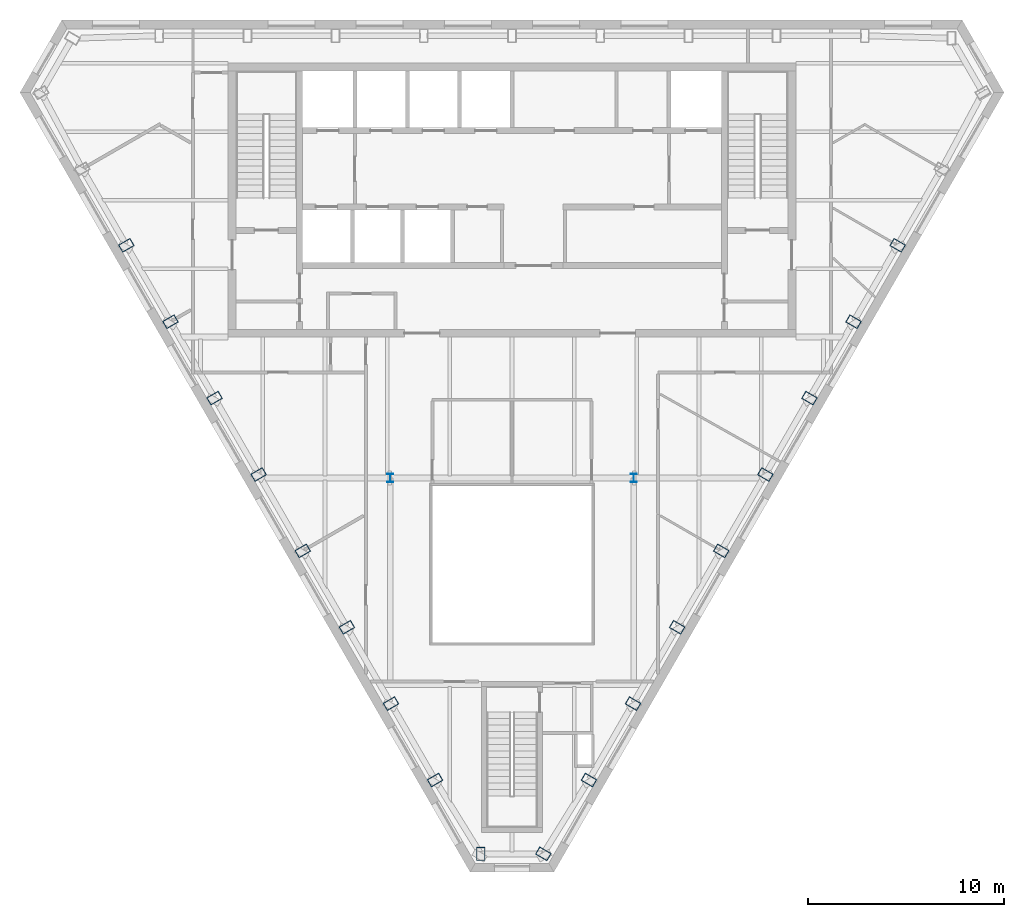
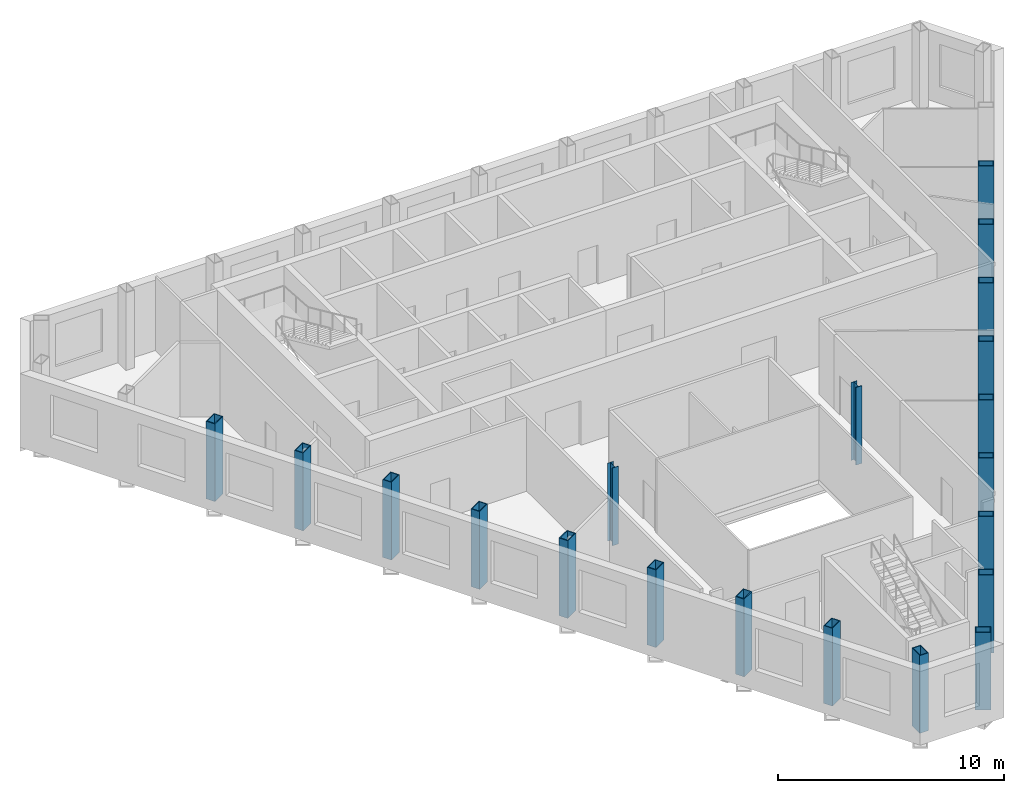
# One storey, part 1 of 9: 20 columns.
"""IFC4 building model written with IfcOpenShell, lengths in metres."""

from ifc_helpers import new_model, si_unit, direction, frame, origin, origin_2d, place, context, subcontext, project, spatial, hollow_rectangle, i_section, extrude, material, material_profile, profile_set, type_object, element, save


model = new_model("IFC4")

# Units and contexts
model_context = context("Model", 3, precision=1e-05, world=origin(), true_north=direction((0.0, 1.0)))
body_context = subcontext(model_context, "Body", "Model", "MODEL_VIEW")
ifc_project = project(units=[si_unit("LENGTHUNIT", "METRE"), si_unit("AREAUNIT", "SQUARE_METRE"), si_unit("VOLUMEUNIT", "CUBIC_METRE"), si_unit("PLANEANGLEUNIT", "RADIAN"), si_unit("MASSUNIT", "GRAM", prefix="KILO")], contexts=[model_context])

# Site, building, storey
site_placement = place(None, origin())
site = spatial("IfcSite", under=ifc_project, at=site_placement, CompositionType="ELEMENT")
building_placement = place(site_placement, origin())
building = spatial("IfcBuilding", under=site, at=building_placement, Name="Njiva Tower", CompositionType="ELEMENT")
storey_placement = place(building_placement, frame((0.0, 0.0, 321.0)))
storey = spatial("IfcBuildingStorey", under=building, at=storey_placement, Name="L73", CompositionType="ELEMENT", Elevation=321.0)

# Columns
ifc_material = material(Name="Steel S355 J2", Category="steel")
ifc_material_profile_1 = material_profile(ifc_material, hollow_rectangle(XDim=0.45, YDim=0.7, WallThickness=0.04, at=origin_2d()), Name="BOX 700x450x40")
ifc_profile_set_1 = profile_set([ifc_material_profile_1], Name="Steel S355 J2")
column_type_1 = type_object("IfcColumnType", Name="C15 Perimeter tube column BOX 700x450x40", PredefinedType="COLUMN", material=ifc_profile_set_1)
for number, where, z_axis, x_axis, name in (
    (1, (-19.705, 8.688, 0.0), (0.0, 0.0, 1.0), (0.5, -0.866025403784, 0.0), "Perimeter tube column S25-C14"),
    (2, (-17.451, 4.785, 0.0), (0.0, 0.0, 1.0), (0.5, -0.866025403784, 0.0), "Perimeter tube column S25-C15"),
    (3, (-15.198, 0.882, 0.0), (0.0, 0.0, 1.0), (0.5, -0.866025403784, 0.0), "Perimeter tube column S25-C16"),
    (4, (-12.945, -3.021, 0.0), (0.0, 0.0, 1.0), (0.5, -0.866025403784, 0.0), "Perimeter tube column S25-C17"),
    (5, (-10.691, -6.924, 0.0), (0.0, 0.0, 1.0), (0.5, -0.866025403784, 0.0), "Perimeter tube column S25-C18"),
    (6, (-8.438, -10.827, 0.0), (0.0, 0.0, 1.0), (0.5, -0.866025403784, 0.0), "Perimeter tube column S25-C19"),
    (7, (-6.185, -14.729, 0.0), (0.0, 0.0, 1.0), (0.5, -0.866025403784, 0.0), "Perimeter tube column S25-C20"),
    (8, (-3.931, -18.632, 0.0), (0.0, 0.0, 1.0), (0.5, -0.866025403784, 0.0), "Perimeter tube column S25-C21"),
    (9, (-1.601, -22.402, 0.0), (0.0, 0.0, 1.0), (1.0, 0.0, 0.0), "Perimeter tube column S25-C22"),
    (10, (1.601, -22.402, 0.0), (0.0, 0.0, 1.0), (0.5, 0.866025403784, 0.0), "Perimeter tube column S25-C23"),
    (11, (3.931, -18.632, 0.0), (0.0, 0.0, 1.0), (0.5, 0.866025403784, 0.0), "Perimeter tube column S25-C24"),
    (12, (6.185, -14.729, 0.0), (0.0, 0.0, 1.0), (0.5, 0.866025403784, 0.0), "Perimeter tube column S25-C25"),
    (13, (8.438, -10.827, 0.0), (0.0, 0.0, 1.0), (0.5, 0.866025403784, 0.0), "Perimeter tube column S25-C26"),
    (14, (10.691, -6.924, 0.0), (0.0, 0.0, 1.0), (0.5, 0.866025403784, 0.0), "Perimeter tube column S25-C27"),
    (15, (12.945, -3.021, 0.0), (0.0, 0.0, 1.0), (0.5, 0.866025403784, 0.0), "Perimeter tube column S25-C28"),
    (16, (15.198, 0.882, 0.0), (0.0, 0.0, 1.0), (0.5, 0.866025403784, 0.0), "Perimeter tube column S25-C29"),
    (17, (17.451, 4.785, 0.0), (0.0, 0.0, 1.0), (0.5, 0.866025403784, 0.0), "Perimeter tube column S25-C30"),
    (18, (19.705, 8.688, 0.0), (0.0, 0.0, 1.0), (0.5, 0.866025403784, 0.0), "Perimeter tube column S25-C31"),
):
    element("IfcColumn", number, at=place(storey_placement, frame(where, z_axis=z_axis, x_axis=x_axis)), inside=storey, type_object=column_type_1, Name=name, PredefinedType="COLUMN", context=body_context, shape_type="SweptSolid", body=[
        extrude(hollow_rectangle(XDim=0.45, YDim=0.7, WallThickness=0.04, at=origin_2d()), origin(), (0.0, 0.0, 1.0), 4.2),
    ])
ifc_material_profile_2 = material_profile(ifc_material, i_section(OverallWidth=0.3, OverallDepth=0.45, WebThickness=0.014, FlangeThickness=0.026, at=origin_2d()), Name="HEB 450")
ifc_profile_set_2 = profile_set([ifc_material_profile_2], Name="Steel S355 J2")
column_type_2 = type_object("IfcColumnType", Name="C16 Interior column HEB 450", PredefinedType="COLUMN", material=ifc_profile_set_2)
for number, where, z_axis, x_axis, name in (
    (19, (6.22, -3.2, 0.0), (0.0, 0.0, 1.0), (1.0, 0.0, 0.0), "Interior column S25-C34"),
    (20, (-6.22, -3.2, 0.0), (0.0, 0.0, 1.0), (1.0, 0.0, 0.0), "Interior column S25-C35"),
):
    element("IfcColumn", number, at=place(storey_placement, frame(where, z_axis=z_axis, x_axis=x_axis)), inside=storey, type_object=column_type_2, Name=name, PredefinedType="COLUMN", context=body_context, shape_type="SweptSolid", body=[
        extrude(i_section(OverallWidth=0.3, OverallDepth=0.45, WebThickness=0.014, FlangeThickness=0.026, at=origin_2d()), origin(), (0.0, 0.0, 1.0), 4.2),
    ])

save(model, "model.ifc")
